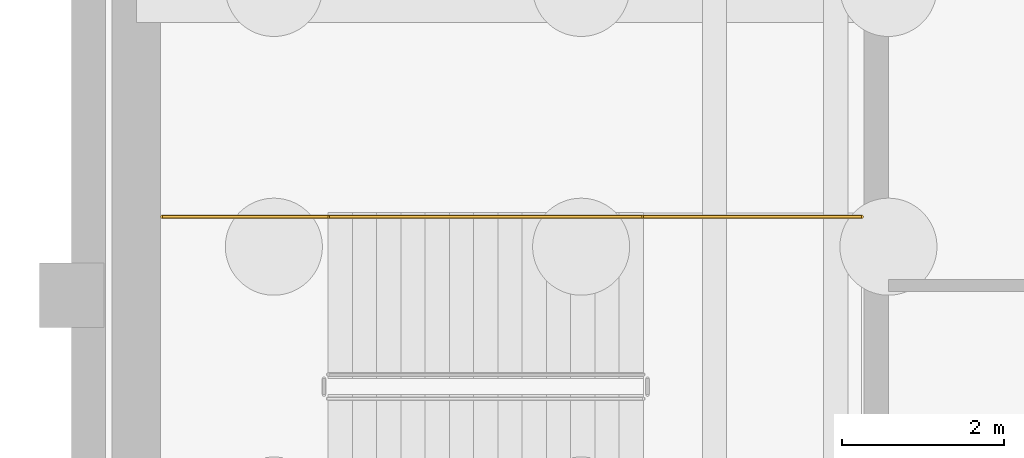
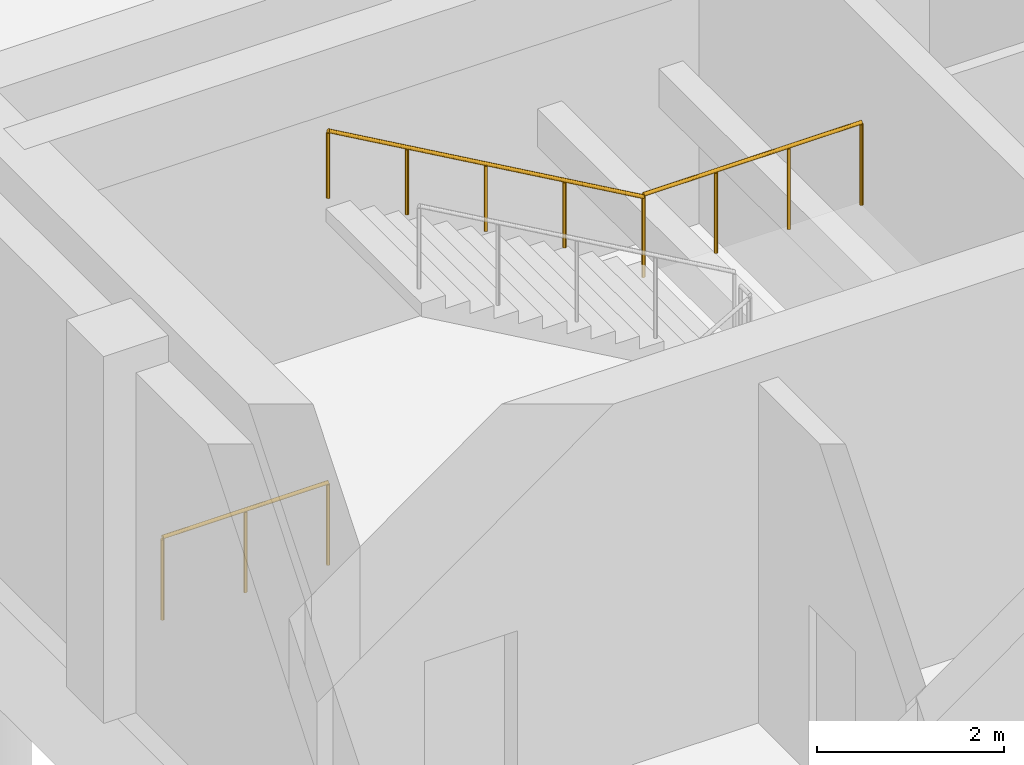
# One storey, part 23 of 25: 3 railings.
"""IFC4 building model written with IfcOpenShell, lengths in metres."""

from ifc_helpers import new_model, si_unit, direction, frame, origin, origin_2d, place, context, subcontext, project, spatial, circle, extrude, material, type_object, element, save


model = new_model("IFC4")

# Units and contexts
model_context = context("Model", 3, precision=1e-05, world=origin(), true_north=direction((0.0, 1.0)))
body_context = subcontext(model_context, "Body", "Model", "MODEL_VIEW")
ifc_project = project(units=[si_unit("LENGTHUNIT", "METRE"), si_unit("AREAUNIT", "SQUARE_METRE"), si_unit("VOLUMEUNIT", "CUBIC_METRE"), si_unit("PLANEANGLEUNIT", "RADIAN"), si_unit("MASSUNIT", "GRAM", prefix="KILO")], contexts=[model_context])

# Site, building, storey
site_placement = place(None, origin())
site = spatial("IfcSite", under=ifc_project, at=site_placement, CompositionType="ELEMENT")
building_placement = place(site_placement, origin())
building = spatial("IfcBuilding", under=site, at=building_placement, Name="Tarnveldt Square Police Headquarters", CompositionType="ELEMENT")
storey_placement = place(building_placement, frame((0.0, 0.0, -4.800048828125)))
storey = spatial("IfcBuildingStorey", under=building, at=storey_placement, Name="B1", CompositionType="ELEMENT", Elevation=-4.800048828125)

# Railings
ifc_material = material(Name="Steel 350W", Category="steel")
railing_type_1 = type_object("IfcRailingType", Name="RL-GR-1100", PredefinedType="GUARDRAIL", material=ifc_material)
railing_1_placement = place(storey_placement, frame((23.27001953125, 64.969970703125, 2.400146484375)))
element("IfcRailing", 1, at=railing_1_placement, inside=storey, type_object=railing_type_1, Name="B1 ST1 stair guard 3", PredefinedType="GUARDRAIL", context=body_context, shape_type="SweptSolid", body=[
    extrude(circle(Radius=0.02392578125, at=origin_2d()), frame((0.0, 0.0, 1.076171875), z_axis=(1.0, 0.0, 0.0), x_axis=(0.0, 1.0, 0.0)), (0.0, 0.0, 1.0), 2.699951171875),
    extrude(circle(Radius=0.02099609375, at=origin_2d()), origin(), (0.0, 0.0, 1.0), 1.052001953125),
    extrude(circle(Radius=0.02099609375, at=origin_2d()), frame((0.89990234375, 0.0, 0.0)), (0.0, 0.0, 1.0), 1.052001953125),
    extrude(circle(Radius=0.02099609375, at=origin_2d()), frame((1.800048828125, 0.0, 0.0)), (0.0, 0.0, 1.0), 1.052001953125),
    extrude(circle(Radius=0.02099609375, at=origin_2d()), frame((2.699951171875, 0.0, 0.0)), (0.0, 0.0, 1.0), 1.052001953125),
])
railing_2_placement = place(storey_placement, frame((17.320068359375, 64.969970703125, 0.0)))
element("IfcRailing", 2, at=railing_2_placement, inside=storey, type_object=railing_type_1, Name="B1 ST1 stair guard 6", PredefinedType="GUARDRAIL", context=body_context, shape_type="SweptSolid", body=[
    extrude(circle(Radius=0.02392578125, at=origin_2d()), frame((0.0, 0.0, 1.076171875), z_axis=(1.0, 0.0, 0.0), x_axis=(0.0, 1.0, 0.0)), (0.0, 0.0, 1.0), 2.050048828125),
    extrude(circle(Radius=0.02099609375, at=origin_2d()), origin(), (0.0, 0.0, 1.0), 1.052001953125),
    extrude(circle(Radius=0.02099609375, at=origin_2d()), frame((1.02490234375, 0.0, 0.0)), (0.0, 0.0, 1.0), 1.052001953125),
    extrude(circle(Radius=0.02099609375, at=origin_2d()), frame((2.050048828125, 0.0, 0.0)), (0.0, 0.0, 1.0), 1.052001953125),
])
railing_type_2 = type_object("IfcRailingType", Name="RL-HR-900", PredefinedType="HANDRAIL", material=ifc_material)
railing_3_placement = place(storey_placement, frame((23.27001953125, 64.969970703125, 2.571533203125)))
element("IfcRailing", 3, at=railing_3_placement, inside=storey, type_object=railing_type_2, Name="B1 ST1 stair handrail 2", PredefinedType="HANDRAIL", context=body_context, shape_type="SweptSolid", body=[
    extrude(circle(Radius=0.02392578125, at=origin_2d()), frame((0.0, 0.0, 0.8759765625), z_axis=(-0.868243142124, 0.0, 0.496138938357), x_axis=(0.0, -1.0, 0.0)), (0.0, 0.0, 1.0), 4.49169921875),
    extrude(circle(Radius=0.02099609375, at=origin_2d()), origin(), (0.0, 0.0, 1.0), 0.851806640625),
    extrude(circle(Radius=0.02099609375, at=origin_2d()), frame((-0.97509765625, 0.0, 0.55712890625)), (0.0, 0.0, 1.0), 0.851806640625),
    extrude(circle(Radius=0.02099609375, at=origin_2d()), frame((-1.949951171875, 0.0, 1.1142578125)), (0.0, 0.0, 1.0), 0.851806640625),
    extrude(circle(Radius=0.02099609375, at=origin_2d()), frame((-2.9248046875, 0.0, 1.67138671875)), (0.0, 0.0, 1.0), 0.851806640625),
    extrude(circle(Radius=0.02099609375, at=origin_2d()), frame((-3.89990234375, 0.0, 2.228515625)), (0.0, 0.0, 1.0), 0.851806640625),
])

save(model, "model.ifc")
